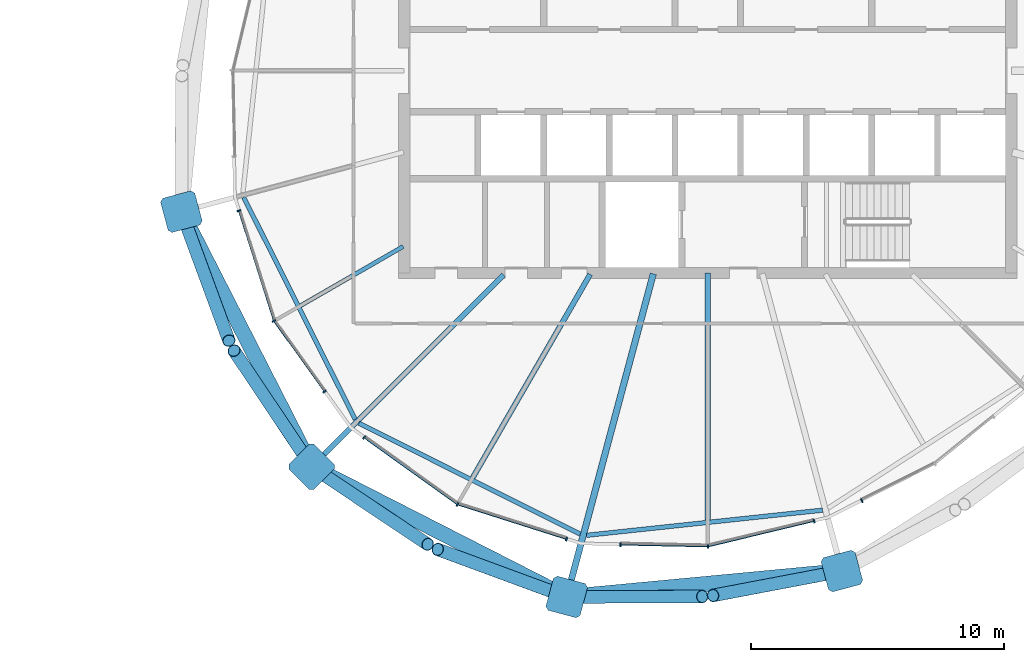
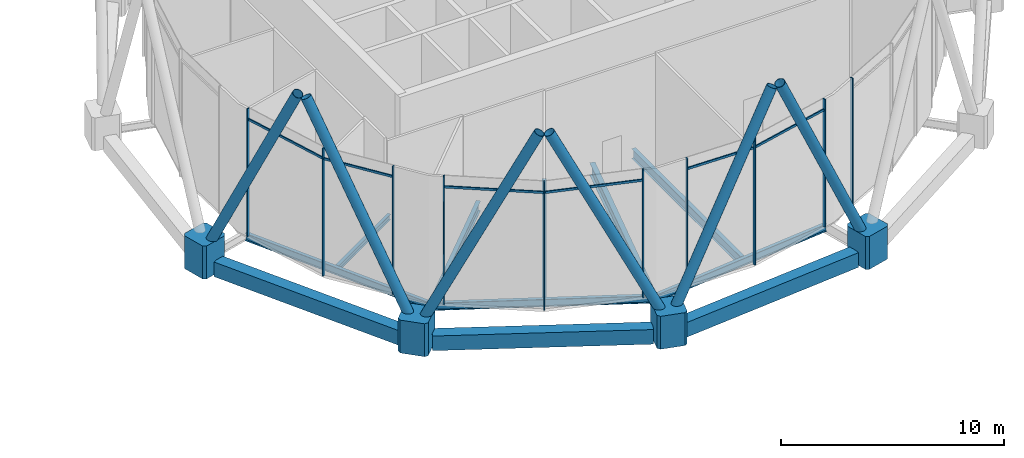
# One storey, part 9 of 28: 26 members, 11 beams, 1 element without a shape of its own.
"""IFC4 building model written with IfcOpenShell, lengths in metres."""

from ifc_helpers import new_model, si_unit, direction, frame, origin, origin_2d, place, context, subcontext, project, spatial, polyline, rectangle, hollow_rectangle, hollow_circle, i_section, outline, extrude, material, material_profile, profile_set, type_object, element, aggregate, save


model = new_model("IFC4")

# Units and contexts
model_context = context("Model", 3, precision=1e-05, world=origin(), true_north=direction((0.0, 1.0)))
body_context = subcontext(model_context, "Body", "Model", "MODEL_VIEW")
ifc_project = project(units=[si_unit("LENGTHUNIT", "METRE"), si_unit("AREAUNIT", "SQUARE_METRE"), si_unit("VOLUMEUNIT", "CUBIC_METRE"), si_unit("PLANEANGLEUNIT", "RADIAN"), si_unit("MASSUNIT", "GRAM", prefix="KILO")], contexts=[model_context])

# Site, building, storey
site_placement = place(None, origin())
site = spatial("IfcSite", under=ifc_project, at=site_placement, CompositionType="ELEMENT")
building_placement = place(site_placement, origin())
building = spatial("IfcBuilding", under=site, at=building_placement, Name="Rimbun Link Towers", CompositionType="ELEMENT")
storey_placement = place(building_placement, frame((0.0, 0.0, 256.10009765625)))
storey = spatial("IfcBuildingStorey", under=building, at=storey_placement, Name="L63", CompositionType="ELEMENT", Elevation=256.10009765625)

# Curtain wall, members
ifc_material_1 = material(Name="Aluminium 6063-T6 and low-iron glass", Category="aluminium")
curtain_wall_type = type_object("IfcCurtainWallType", Name="CW5 full height lobby wall", PredefinedType="NOTDEFINED", material=ifc_material_1)
curtain_wall_placement = place(storey_placement, origin())
curtain_wall = element("IfcCurtainWall", 1, at=curtain_wall_placement, inside=storey, type_object=curtain_wall_type, Name="CW5 L63 T2", PredefinedType="NOTDEFINED")
ifc_material_2 = material(Name="Aluminium 6063-T6", Category="aluminium")
ifc_material_profile_1 = material_profile(ifc_material_2, rectangle(XDim=0.14990234375, YDim=0.06005859375, at=origin_2d()), Name="MULLION 60X150")
ifc_profile_set_1 = profile_set([ifc_material_profile_1], Name="Aluminium 6063-T6")
member_type_1 = type_object("IfcMemberType", Name="CW5 mullion 60X150", PredefinedType="MULLION", material=ifc_profile_set_1)
member_1_placement = place(storey_placement, frame((14.597412109375, -9.89794921875, 0.0), z_axis=(0.0, 0.0, 1.0), x_axis=(-0.893745040408, -0.448575303316, 0.0)))
member_1 = element("IfcMember", 2, at=member_1_placement, type_object=member_type_1, Name="CW5 mullion", PredefinedType="MULLION", context=body_context, shape_type="SweptSolid", body=[
    extrude(rectangle(XDim=0.14990234375, YDim=0.06005859375, at=origin_2d()), origin(), (0.0, 0.0, 1.0), 7.0),
])
member_2_placement = place(storey_placement, frame((13.21044921875, -5.5400390625, 0.0), z_axis=(0.0, 0.0, 1.0), x_axis=(-0.952966879851, -0.303074456046, 0.0)))
member_2 = element("IfcMember", 3, at=member_2_placement, type_object=member_type_1, Name="CW5 mullion", PredefinedType="MULLION", context=body_context, shape_type="SweptSolid", body=[
    extrude(rectangle(XDim=0.14990234375, YDim=0.06005859375, at=origin_2d()), origin(), (0.0, 0.0, 1.0), 7.0),
])
member_3_placement = place(storey_placement, frame((16.60009765625, -12.6904296875, 0.0), z_axis=(0.0, 0.0, 1.0), x_axis=(-0.812467608584, -0.583006333586, 0.0)))
member_3 = element("IfcMember", 4, at=member_3_placement, type_object=member_type_1, Name="CW5 mullion", PredefinedType="MULLION", context=body_context, shape_type="SweptSolid", body=[
    extrude(rectangle(XDim=0.14990234375, YDim=0.06005859375, at=origin_2d()), origin(), (0.0, 0.0, 1.0), 7.0),
])
member_4_placement = place(storey_placement, frame((21.85205078125, -17.152587890625, 0.0), z_axis=(0.0, 0.0, 1.0), x_axis=(-0.448575303316, -0.893745040408, 0.0)))
member_4 = element("IfcMember", 5, at=member_4_placement, type_object=member_type_1, Name="CW5 mullion", PredefinedType="MULLION", context=body_context, shape_type="SweptSolid", body=[
    extrude(rectangle(XDim=0.14990234375, YDim=0.06005859375, at=origin_2d()), origin(), (0.0, 0.0, 1.0), 7.0),
])
member_5_placement = place(storey_placement, frame((18.165771484375, -14.508544921875, 0.0), z_axis=(0.0, 0.0, 1.0), x_axis=(-0.583006333586, -0.812467608584, 0.0)))
member_5 = element("IfcMember", 6, at=member_5_placement, type_object=member_type_1, Name="CW5 mullion", PredefinedType="MULLION", context=body_context, shape_type="SweptSolid", body=[
    extrude(rectangle(XDim=0.14990234375, YDim=0.06005859375, at=origin_2d()), origin(), (0.0, 0.0, 1.0), 7.0),
])
member_6_placement = place(storey_placement, frame((26.162353515625, -18.5244140625, 0.0), z_axis=(0.0, 0.0, 1.0), x_axis=(-0.303074456046, -0.952966879851, 0.0)))
member_6 = element("IfcMember", 7, at=member_6_placement, type_object=member_type_1, Name="CW5 mullion", PredefinedType="MULLION", context=body_context, shape_type="SweptSolid", body=[
    extrude(rectangle(XDim=0.14990234375, YDim=0.06005859375, at=origin_2d()), origin(), (0.0, 0.0, 1.0), 7.0),
])
member_7_placement = place(storey_placement, frame((31.758056640625, -18.814453125, 0.0), z_axis=(0.0, 0.0, 1.0), x_axis=(0.106641931315, -0.994297489932, 0.0)))
member_7 = element("IfcMember", 8, at=member_7_placement, type_object=member_type_1, Name="CW5 mullion", PredefinedType="MULLION", context=body_context, shape_type="SweptSolid", body=[
    extrude(rectangle(XDim=0.14990234375, YDim=0.06005859375, at=origin_2d()), origin(), (0.0, 0.0, 1.0), 7.0),
])
member_8_placement = place(storey_placement, frame((28.304931640625, -18.742431640625, 0.0), z_axis=(0.0, 0.0, 1.0), x_axis=(-0.021064400542, -0.9997781209, 0.0)))
member_8 = element("IfcMember", 9, at=member_8_placement, type_object=member_type_1, Name="CW5 mullion", PredefinedType="MULLION", context=body_context, shape_type="SweptSolid", body=[
    extrude(rectangle(XDim=0.14990234375, YDim=0.06005859375, at=origin_2d()), origin(), (0.0, 0.0, 1.0), 7.0),
])
member_9_placement = place(storey_placement, frame((35.951416015625, -17.812255859375, 0.0), z_axis=(0.0, 0.0, 1.0), x_axis=(0.232605846557, -0.972571087452, 0.0)))
member_9 = element("IfcMember", 10, at=member_9_placement, type_object=member_type_1, Name="CW5 mullion", PredefinedType="MULLION", context=body_context, shape_type="SweptSolid", body=[
    extrude(rectangle(XDim=0.14990234375, YDim=0.06005859375, at=origin_2d()), origin(), (0.0, 0.0, 1.0), 7.0),
])
member_10_placement = place(storey_placement, frame((37.843017578125, -17.005126953125, 0.0), z_axis=(0.0, 0.0, 1.0), x_axis=(0.448786851491, -0.893638831927, 0.0)))
member_10 = element("IfcMember", 11, at=member_10_placement, type_object=member_type_1, Name="CW5 mullion", PredefinedType="MULLION", context=body_context, shape_type="SweptSolid", body=[
    extrude(rectangle(XDim=0.14990234375, YDim=0.06005859375, at=origin_2d()), origin(), (0.0, 0.0, 1.0), 7.0),
])
ifc_material_3 = material(Name="Aluminium 6063-T6", Category="aluminium")
ifc_material_profile_2 = material_profile(ifc_material_3, rectangle(XDim=0.06005859375, YDim=0.1201171875, at=origin_2d()), Name="TRANSOM 60X120")
ifc_profile_set_2 = profile_set([ifc_material_profile_2], Name="Aluminium 6063-T6")
member_type_2 = type_object("IfcMemberType", Name="CW5 transom 60X120", PredefinedType="USERDEFINED", material=ifc_profile_set_2)
member_11_placement = place(storey_placement, frame((14.596435546875, -9.8544921875, 6.39990234375), z_axis=(-0.303116351765, 0.952953554636, 0.0), x_axis=(-0.952953554636, -0.303116351765, 0.0)))
member_11 = element("IfcMember", 12, at=member_11_placement, type_object=member_type_2, Name="CW5 transom", ObjectType="TRANSOM", PredefinedType="USERDEFINED", context=body_context, shape_type="SweptSolid", body=[
    extrude(rectangle(XDim=0.06005859375, YDim=0.1201171875, at=origin_2d()), origin(), (0.0, 0.0, 1.0), 4.50146484375),
])
member_12_placement = place(storey_placement, frame((16.59326171875, -12.658447265625, 6.39990234375), z_axis=(-0.583021385194, 0.812456807718, 0.0), x_axis=(-0.812456807718, -0.583021385194, 0.0)))
member_12 = element("IfcMember", 13, at=member_12_placement, type_object=member_type_2, Name="CW5 transom", ObjectType="TRANSOM", PredefinedType="USERDEFINED", context=body_context, shape_type="SweptSolid", body=[
    extrude(rectangle(XDim=0.06005859375, YDim=0.1201171875, at=origin_2d()), origin(), (0.0, 0.0, 1.0), 3.36474609375),
])
member_13_placement = place(storey_placement, frame((21.8251953125, -17.118408203125, 6.39990234375), z_axis=(-0.812460545934, 0.583016175848, 0.0), x_axis=(-0.583016175848, -0.812460545934, 0.0)))
member_13 = element("IfcMember", 14, at=member_13_placement, type_object=member_type_2, Name="CW5 transom", ObjectType="TRANSOM", PredefinedType="USERDEFINED", context=body_context, shape_type="SweptSolid", body=[
    extrude(rectangle(XDim=0.06005859375, YDim=0.1201171875, at=origin_2d()), origin(), (0.0, 0.0, 1.0), 4.46484375),
])
member_14_placement = place(storey_placement, frame((26.1376953125, -18.5029296875, 6.39990234375), z_axis=(-0.952953146217, 0.30311763577, 0.0), x_axis=(-0.30311763577, -0.952953146217, 0.0)))
member_14 = element("IfcMember", 15, at=member_14_placement, type_object=member_type_2, Name="CW5 transom", ObjectType="TRANSOM", PredefinedType="USERDEFINED", context=body_context, shape_type="SweptSolid", body=[
    extrude(rectangle(XDim=0.06005859375, YDim=0.1201171875, at=origin_2d()), origin(), (0.0, 0.0, 1.0), 4.45166015625),
])
member_15_placement = place(storey_placement, frame((31.71875, -18.80126953125, 6.39990234375), z_axis=(-0.999778115301, 0.021064666258, 0.0), x_axis=(-0.021064666258, -0.999778115301, 0.0)))
member_15 = element("IfcMember", 16, at=member_15_placement, type_object=member_type_2, Name="CW5 transom", ObjectType="TRANSOM", PredefinedType="USERDEFINED", context=body_context, shape_type="SweptSolid", body=[
    extrude(rectangle(XDim=0.06005859375, YDim=0.1201171875, at=origin_2d()), origin(), (0.0, 0.0, 1.0), 3.38427734375),
])
member_16_placement = place(storey_placement, frame((35.919189453125, -17.806396484375, 6.39990234375), z_axis=(-0.972563606746, -0.232637122646, 0.0), x_axis=(0.232637122646, -0.972563606746, 0.0)))
member_16 = element("IfcMember", 17, at=member_16_placement, type_object=member_type_2, Name="CW5 transom", ObjectType="TRANSOM", PredefinedType="USERDEFINED", context=body_context, shape_type="SweptSolid", body=[
    extrude(rectangle(XDim=0.06005859375, YDim=0.1201171875, at=origin_2d()), origin(), (0.0, 0.0, 1.0), 4.241943359375),
])
aggregate(curtain_wall, [member_1, member_2, member_3, member_4, member_5, member_6, member_7, member_8, member_9, member_10, member_11, member_12, member_13, member_14, member_15, member_16])

# Members
ifc_material_4 = material(Name="Steel S355J2H", Category="steel")
ifc_material_profile_3 = material_profile(ifc_material_4, hollow_circle(Radius=0.25390625, WallThickness=0.02001953125, at=origin_2d()), Name="Diagrid diagonal CHS 508x20")
ifc_profile_set_3 = profile_set([ifc_material_profile_3], Name="Steel S355J2H")
member_type_3 = type_object("IfcMemberType", Name="Diagrid diagonal CHS 508x20", PredefinedType="BRACE", material=ifc_profile_set_3)
member_17_placement = place(storey_placement, frame((11.018310546875, -5.78271484375, 0.448486328125), z_axis=(0.152583342554, -0.414216770688, 0.897297492728), x_axis=(0.938359897254, 0.34565980852, 0.0)))
element("IfcMember", 18, at=member_17_placement, inside=storey, type_object=member_type_3, Name="Diagrid diagonal T2 L63-L65 10b", PredefinedType="BRACE", context=body_context, shape_type="SweptSolid", body=[
    extrude(hollow_circle(Radius=0.25390625, WallThickness=0.02001953125, at=origin_2d()), origin(), (0.0, 0.0, 1.0), 11.81640625),
])
for number, where, z_axis, x_axis, name in (
    (19, (15.96630859375, -15.473876953125, 0.447265625), (-0.248369081759, 0.371482711175, 0.894602366711), (-0.83131217171, -0.555805787273, 0.0), "Diagrid diagonal T2 L63-L65 12a"),
    (20, (16.276123046875, -15.78369140625, 0.447265625), (0.371482711175, -0.248369081759, 0.894602366711), (0.555805787273, 0.83131217171, 0.0), "Diagrid diagonal T2 L63-L65 12b"),
):
    element("IfcMember", number, at=place(storey_placement, frame(where, z_axis=z_axis, x_axis=x_axis)), inside=storey, type_object=member_type_3, Name=name, PredefinedType="BRACE", context=body_context, shape_type="SweptSolid", body=[
        extrude(hollow_circle(Radius=0.25390625, WallThickness=0.02001953125, at=origin_2d()), origin(), (0.0, 0.0, 1.0), 11.854736328125),
    ])
member_18_placement = place(storey_placement, frame((25.96728515625, -20.731689453125, 0.448486328125), z_axis=(-0.414216770688, 0.152583342554, 0.897297492728), x_axis=(-0.34565980852, -0.938359897254, 0.0)))
element("IfcMember", 21, at=member_18_placement, inside=storey, type_object=member_type_3, Name="Diagrid diagonal T2 L63-L65 14a", PredefinedType="BRACE", context=body_context, shape_type="SweptSolid", body=[
    extrude(hollow_circle(Radius=0.25390625, WallThickness=0.02001953125, at=origin_2d()), origin(), (0.0, 0.0, 1.0), 11.81640625),
])
member_19_placement = place(storey_placement, frame((26.392578125, -20.807373046875, 0.44970703125), z_axis=(0.436262420484, 0.001367788692, 0.899818442591), x_axis=(-0.003135227572, 0.999995085162, 0.0)))
element("IfcMember", 22, at=member_19_placement, inside=storey, type_object=member_type_3, Name="Diagrid diagonal T2 L63-L65 14b", PredefinedType="BRACE", context=body_context, shape_type="SweptSolid", body=[
    extrude(hollow_circle(Radius=0.25390625, WallThickness=0.02001953125, at=origin_2d()), origin(), (0.0, 0.0, 1.0), 11.780517578125),
])
member_20_placement = place(storey_placement, frame((36.842529296875, -19.82421875, 0.452392578125), z_axis=(-0.417305578151, -0.079188760981, 0.905309446862), x_axis=(0.186435005865, -0.982467296447, 0.0)))
element("IfcMember", 23, at=member_20_placement, inside=storey, type_object=member_type_3, Name="Diagrid diagonal T2 L63-L65 16a", PredefinedType="BRACE", context=body_context, shape_type="SweptSolid", body=[
    extrude(hollow_circle(Radius=0.25390625, WallThickness=0.02001953125, at=origin_2d()), origin(), (0.0, 0.0, 1.0), 11.703125),
])
ifc_material_5 = material(Name="Cast steel G20Mn5+QT, Rp0.2 300 MPa", Category="steel")
ifc_material_profile_4 = material_profile(ifc_material_5, outline(polyline([(0.699951171875, -0.570068359375), (0.699951171875, 0.570068359375), (0.570068359375, 0.699951171875), (-0.570068359375, 0.699951171875), (-0.699951171875, 0.570068359375), (-0.699951171875, -0.570068359375), (-0.570068359375, -0.699951171875), (0.570068359375, -0.699951171875), (0.699951171875, -0.570068359375)])), Name="NODE 1400x1400")
ifc_profile_set_4 = profile_set([ifc_material_profile_4], Name="Cast steel G20Mn5+QT, Rp0.2 300 MPa")
member_type_4 = type_object("IfcMemberType", Name="Diagrid node cast 1400", PredefinedType="USERDEFINED", material=ifc_profile_set_4)
for number, where, z_axis, x_axis, name in (
    (24, (10.94189453125, -5.575439453125, -0.900146484375), (0.0, 0.0, 1.0), (-0.965925826289, -0.258819045103, 0.0), "Diagrid node L63 10"),
    (25, (16.09033203125, -15.65966796875, -0.900146484375), (0.0, 0.0, 1.0), (-0.707106781187, -0.707106781187, 0.0), "Diagrid node L63 12"),
    (26, (26.174560546875, -20.80810546875, -0.900146484375), (0.0, 0.0, 1.0), (-0.258819045103, -0.965925826289, 0.0), "Diagrid node L63 14"),
    (27, (37.05126953125, -19.78466796875, -0.900146484375), (0.0, 0.0, 1.0), (0.258819045103, -0.965925826289, 0.0), "Diagrid node L63 16"),
):
    element("IfcMember", number, at=place(storey_placement, frame(where, z_axis=z_axis, x_axis=x_axis)), inside=storey, type_object=member_type_4, Name=name, ObjectType="Diagrid node", PredefinedType="USERDEFINED", context=body_context, shape_type="SweptSolid", body=[
        extrude(outline(polyline([(0.699951171875, -0.570068359375), (0.699951171875, 0.570068359375), (0.570068359375, 0.699951171875), (-0.570068359375, 0.699951171875), (-0.699951171875, 0.570068359375), (-0.699951171875, -0.570068359375), (-0.570068359375, -0.699951171875), (0.570068359375, -0.699951171875), (0.699951171875, -0.570068359375)])), origin(), (0.0, 0.0, 1.0), 1.800048828125),
    ])

# Beams
ifc_material_6 = material(Name="Steel S355J2", Category="steel")
ifc_material_profile_5 = material_profile(ifc_material_6, hollow_rectangle(XDim=0.60009765625, YDim=0.800048828125, WallThickness=0.0400390625, at=origin_2d()), Name="Exoskeleton ring girder BOX 600x800x40")
ifc_profile_set_5 = profile_set([ifc_material_profile_5], Name="Steel S355J2")
beam_type_1 = type_object("IfcBeamType", Name="Exoskeleton ring girder BOX 600x800x40", PredefinedType="BEAM", material=ifc_profile_set_5)
for number, where, z_axis, x_axis, name in (
    (28, (11.26025390625, -6.198974609375, -0.56005859375), (0.454726911939, -0.890630919943, 0.0), (0.890630919943, 0.454726911939, 0.0), "Exoskeleton ring girder L63 05"),
    (29, (16.7138671875, -15.977783203125, -0.56005859375), (0.890630919943, -0.454726911939, 0.0), (0.454726911939, 0.890630919943, 0.0), "Exoskeleton ring girder L63 06"),
):
    element("IfcBeam", number, at=place(storey_placement, frame(where, z_axis=z_axis, x_axis=x_axis)), inside=storey, type_object=beam_type_1, Name=name, PredefinedType="BEAM", context=body_context, shape_type="SweptSolid", body=[
        extrude(hollow_rectangle(XDim=0.60009765625, YDim=0.800048828125, WallThickness=0.0400390625, at=origin_2d()), origin(), (0.0, 0.0, 1.0), 9.92236328125),
    ])
beam_1_placement = place(storey_placement, frame((26.871337890625, -20.742431640625, -0.56005859375), z_axis=(0.995602084523, 0.093682918903, 0.0), x_axis=(-0.093682918903, 0.995602084523, 0.0)))
element("IfcBeam", 30, at=beam_1_placement, inside=storey, type_object=beam_type_1, Name="Exoskeleton ring girder L63 07", PredefinedType="BEAM", context=body_context, shape_type="SweptSolid", body=[
    extrude(hollow_rectangle(XDim=0.60009765625, YDim=0.800048828125, WallThickness=0.0400390625, at=origin_2d()), origin(), (0.0, 0.0, 1.0), 9.525146484375),
])
ifc_material_7 = material(Name="Steel S355J2", Category="steel")
ifc_material_profile_6 = material_profile(ifc_material_7, i_section(OverallWidth=0.1650390625, OverallDepth=0.303466796875, WebThickness=0.006103515625, FlangeThickness=0.01025390625, at=origin_2d()), Name="UB 305x165x40")
ifc_profile_set_6 = profile_set([ifc_material_profile_6], Name="Steel S355J2")
beam_type_2 = type_object("IfcBeamType", Name="UB 305x165x40", PredefinedType="BEAM", material=ifc_profile_set_6)
beam_2_placement = place(storey_placement, frame((19.7080078125, -6.952392578125, -0.331787109375), z_axis=(-0.866029224906, -0.499993381564, 0.0), x_axis=(0.499993381564, -0.866029224906, 0.0)))
element("IfcBeam", 31, at=beam_2_placement, inside=storey, type_object=beam_type_2, Name="Radial beam T2 L63 11", PredefinedType="BEAM", context=body_context, shape_type="SweptSolid", body=[
    extrude(i_section(OverallWidth=0.1650390625, OverallDepth=0.303466796875, WebThickness=0.006103515625, FlangeThickness=0.01025390625, at=origin_2d()), origin(), (0.0, 0.0, 1.0), 4.68017578125),
])
ifc_material_8 = material(Name="Steel S355J2", Category="steel")
ifc_material_profile_7 = material_profile(ifc_material_8, i_section(OverallWidth=0.177978515625, OverallDepth=0.406494140625, WebThickness=0.0078125, FlangeThickness=0.0126953125, at=origin_2d()), Name="UB 406x178x60")
ifc_profile_set_7 = profile_set([ifc_material_profile_7], Name="Steel S355J2")
beam_type_3 = type_object("IfcBeamType", Name="UB 406x178x60", PredefinedType="BEAM", material=ifc_profile_set_7)
beam_3_placement = place(storey_placement, frame((13.407958984375, -5.01416015625, -0.38330078125), z_axis=(0.448426626291, -0.893819646704, 0.0), x_axis=(0.893819646704, 0.448426626291, 0.0)))
element("IfcBeam", 32, at=beam_3_placement, inside=storey, type_object=beam_type_3, Name="Edge beam T2 L63 10-12", PredefinedType="BEAM", context=body_context, shape_type="SweptSolid", body=[
    extrude(i_section(OverallWidth=0.177978515625, OverallDepth=0.406494140625, WebThickness=0.0078125, FlangeThickness=0.0126953125, at=origin_2d()), origin(), (0.0, 0.0, 1.0), 9.818359375),
])
beam_4_placement = place(storey_placement, frame((17.9599609375, -13.939208984375, -0.38330078125), z_axis=(0.893822627144, -0.448420685524, 0.0), x_axis=(0.448420685524, 0.893822627144, 0.0)))
element("IfcBeam", 33, at=beam_4_placement, inside=storey, type_object=beam_type_3, Name="Edge beam T2 L63 12-14", PredefinedType="BEAM", context=body_context, shape_type="SweptSolid", body=[
    extrude(i_section(OverallWidth=0.177978515625, OverallDepth=0.406494140625, WebThickness=0.0078125, FlangeThickness=0.0126953125, at=origin_2d()), origin(), (0.0, 0.0, 1.0), 9.785888671875),
])
beam_5_placement = place(storey_placement, frame((26.959716796875, -18.37158203125, -0.38330078125), z_axis=(0.99436278667, 0.106031356145, 0.0), x_axis=(-0.106031356145, 0.99436278667, 0.0)))
element("IfcBeam", 34, at=beam_5_placement, inside=storey, type_object=beam_type_3, Name="Edge beam T2 L63 14-16", PredefinedType="BEAM", context=body_context, shape_type="SweptSolid", body=[
    extrude(i_section(OverallWidth=0.177978515625, OverallDepth=0.406494140625, WebThickness=0.0078125, FlangeThickness=0.0126953125, at=origin_2d()), origin(), (0.0, 0.0, 1.0), 9.380615234375),
])
ifc_material_9 = material(Name="Steel S355J2", Category="steel")
ifc_material_profile_8 = material_profile(ifc_material_9, i_section(OverallWidth=0.209228515625, OverallDepth=0.533203125, WebThickness=0.010009765625, FlangeThickness=0.015625, at=origin_2d()), Name="UB 533x210x92")
ifc_profile_set_8 = profile_set([ifc_material_profile_8], Name="Steel S355J2")
beam_type_4 = type_object("IfcBeamType", Name="UB 533x210x92", PredefinedType="BEAM", material=ifc_profile_set_8)
beam_6_placement = place(storey_placement, frame((23.67529296875, -8.07470703125, -0.446533203125), z_axis=(-0.707106781187, -0.707106781187, 0.0), x_axis=(0.707106781187, -0.707106781187, 0.0)))
element("IfcBeam", 35, at=beam_6_placement, inside=storey, type_object=beam_type_4, Name="Radial beam T2 L63 12", PredefinedType="BEAM", context=body_context, shape_type="SweptSolid", body=[
    extrude(i_section(OverallWidth=0.209228515625, OverallDepth=0.533203125, WebThickness=0.010009765625, FlangeThickness=0.015625, at=origin_2d()), origin(), (0.0, 0.0, 1.0), 10.2265625),
])
beam_7_placement = place(storey_placement, frame((27.1005859375, -8.05322265625, -0.446533203125), z_axis=(-0.500001619514, -0.866024468756, 0.0), x_axis=(0.866024468756, -0.500001619514, 0.0)))
element("IfcBeam", 36, at=beam_7_placement, inside=storey, type_object=beam_type_4, Name="Radial beam T2 L63 13", PredefinedType="BEAM", context=body_context, shape_type="SweptSolid", body=[
    extrude(i_section(OverallWidth=0.209228515625, OverallDepth=0.533203125, WebThickness=0.010009765625, FlangeThickness=0.015625, at=origin_2d()), origin(), (0.0, 0.0, 1.0), 9.2861328125),
])
beam_8_placement = place(storey_placement, frame((31.75, -8.0009765625, -0.446533203125), z_axis=(0.0, -1.0, 0.0), x_axis=(1.0, 0.0, 0.0)))
element("IfcBeam", 37, at=beam_8_placement, inside=storey, type_object=beam_type_4, Name="Radial beam T2 L63 15", PredefinedType="BEAM", context=body_context, shape_type="SweptSolid", body=[
    extrude(i_section(OverallWidth=0.209228515625, OverallDepth=0.533203125, WebThickness=0.010009765625, FlangeThickness=0.015625, at=origin_2d()), origin(), (0.0, 0.0, 1.0), 9.769287109375),
])
ifc_material_10 = material(Name="Steel S355J2", Category="steel")
ifc_material_profile_9 = material_profile(ifc_material_10, i_section(OverallWidth=0.253662109375, OverallDepth=0.68359375, WebThickness=0.012451171875, FlangeThickness=0.01904296875, at=origin_2d()), Name="UB 686x254x140")
ifc_profile_set_9 = profile_set([ifc_material_profile_9], Name="Steel S355J2")
beam_type_5 = type_object("IfcBeamType", Name="UB 686x254x140", PredefinedType="BEAM", material=ifc_profile_set_9)
beam_9_placement = place(storey_placement, frame((29.597412109375, -8.03369140625, -0.521728515625), z_axis=(-0.258820797726, -0.965925356673, 0.0), x_axis=(0.965925356673, -0.258820797726, 0.0)))
element("IfcBeam", 38, at=beam_9_placement, inside=storey, type_object=beam_type_5, Name="Radial beam T2 L63 14", PredefinedType="BEAM", context=body_context, shape_type="SweptSolid", body=[
    extrude(i_section(OverallWidth=0.253662109375, OverallDepth=0.68359375, WebThickness=0.012451171875, FlangeThickness=0.01904296875, at=origin_2d()), origin(), (0.0, 0.0, 1.0), 12.724853515625),
])

save(model, "model.ifc")
